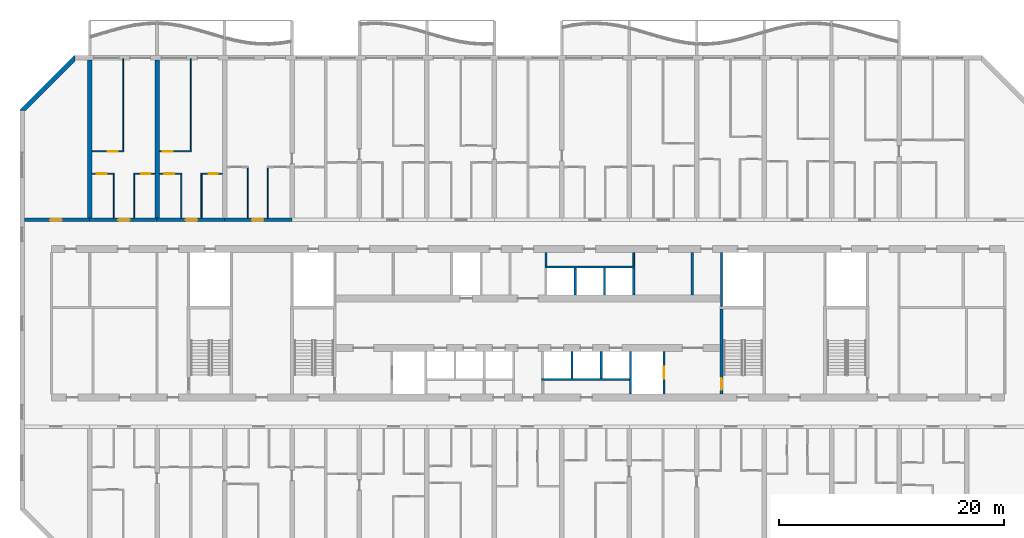
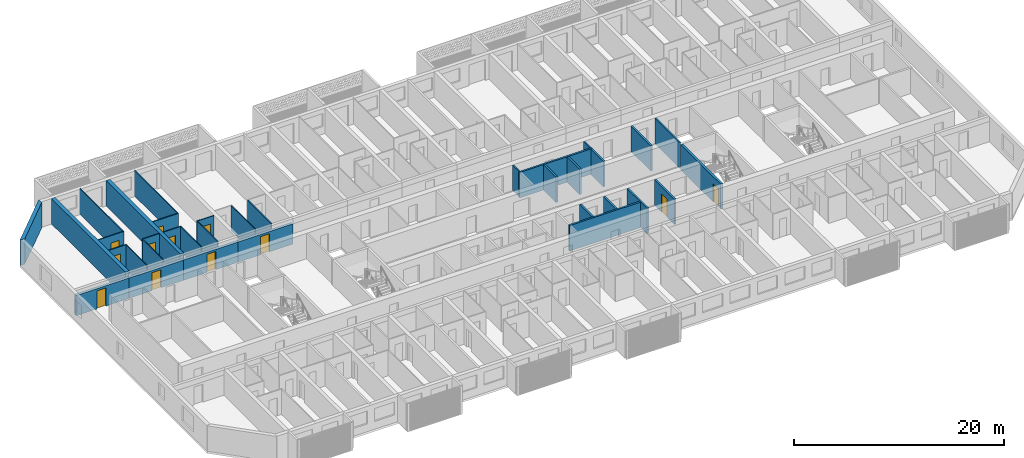
# One storey, part 9 of 39: 35 walls, 12 doors, 12 openings.
"""IFC4 building model written with IfcOpenShell, lengths in metres."""

from ifc_helpers import new_model, si_unit, direction, frame, frame_2d, origin, place, context, subcontext, project, spatial, polyline, rectangle, outline, extrude, material, layer, layer_set, type_object, element, fill, save


model = new_model("IFC4")

# Units and contexts
model_context = context("Model", 3, precision=1e-05, world=origin(), true_north=direction((0.0, 1.0)))
body_context = subcontext(model_context, "Body", "Model", "MODEL_VIEW")
ifc_project = project(units=[si_unit("LENGTHUNIT", "METRE"), si_unit("AREAUNIT", "SQUARE_METRE"), si_unit("VOLUMEUNIT", "CUBIC_METRE"), si_unit("PLANEANGLEUNIT", "RADIAN"), si_unit("MASSUNIT", "GRAM", prefix="KILO")], contexts=[model_context])

# Site, building, storey
site_placement = place(None, origin())
site = spatial("IfcSite", under=ifc_project, at=site_placement, CompositionType="ELEMENT")
building_placement = place(site_placement, origin())
building = spatial("IfcBuilding", under=site, at=building_placement, Name="Poui Terraces", CompositionType="ELEMENT")
storey_placement = place(building_placement, frame((0.0, 0.0, 63.0)))
storey = spatial("IfcBuildingStorey", under=building, at=storey_placement, Name="L17", CompositionType="ELEMENT", Elevation=63.0)

# Wall
ifc_material_1 = material(Name="Fire-rated plasterboard wall")
ifc_layer_1 = layer(ifc_material_1, 0.14990234375)
ifc_layer_set_1 = layer_set([ifc_layer_1], Name="Fire-rated plasterboard wall")
wall_type_1 = type_object("IfcWallType", Name="CORRIDOR WALL 150", PredefinedType="PARTITIONING", material=ifc_layer_set_1)
wall_1_placement = place(storey_placement, frame((52.60009765625, 26.300048828125, 0.0), z_axis=(0.0, 0.0, 1.0), x_axis=(0.0, 1.0, 0.0)))
element("IfcWall", 1, at=wall_1_placement, inside=storey, type_object=wall_type_1, Name="CORRIDOR WALL 150", PredefinedType="PARTITIONING", context=body_context, shape_type="SweptSolid", body=[
    extrude(rectangle(XDim=1.18994140625, YDim=0.14990234375, at=frame_2d((0.594970703125, 0.0))), origin(), (0.0, 0.0, 1.0), 2.949951171875),
])

# Wall, opening, door
ifc_material_2 = material(Name="Concrete 80 MPa", Category="concrete")
ifc_layer_2 = layer(ifc_material_2, 0.300048828125)
ifc_layer_set_2 = layer_set([ifc_layer_2], Name="Concrete 80 MPa")
wall_type_2 = type_object("IfcWallType", Name="CORRIDOR WALL 300 80MPa", PredefinedType="SHEAR", material=ifc_layer_set_2)
wall_2_placement = place(storey_placement, frame((6.199951171875, 30.39990234375, 0.0), z_axis=(0.0, 0.0, 1.0), x_axis=(1.0, 0.0, 0.0)))
wall_2 = element("IfcWall", 2, at=wall_2_placement, inside=storey, type_object=wall_type_2, Name="CORRIDOR WALL LINE E BAY 1", PredefinedType="SHEAR", context=body_context, shape_type="SweptSolid", body=[
    extrude(rectangle(XDim=5.800048828125, YDim=0.300048828125, at=frame_2d((2.89990234375, 0.0))), origin(), (0.0, 0.0, 1.0), 2.35009765625),
])
opening_1_placement = place(wall_2_placement, frame((2.300048828125, 0.0, 0.0)))
opening_1 = element("IfcOpeningElement", 3, at=opening_1_placement, cuts=wall_2, Name="Opening D100", PredefinedType="OPENING", context=body_context, shape_type="SweptSolid", body=[
    extrude(rectangle(XDim=1.0, YDim=2.10009765625, at=frame_2d((0.5, 1.050048828125))), frame((0.0, 0.16015625, 0.0), z_axis=(0.0, -1.0, 0.0), x_axis=(1.0, 0.0, 0.0)), (0.0, 0.0, 1.0), 0.320068359375),
])
ifc_material_3 = material(Name="Solid core timber door", Category="wood")
door_type_1 = type_object("IfcDoorType", Name="ACCESSIBLE INTERNAL DOOR 1000 X 2100", OperationType="NOTDEFINED", PredefinedType="DOOR", material=ifc_material_3)
door_1_placement = place(opening_1_placement, origin())
door_1 = element("IfcDoor", 4, at=door_1_placement, inside=storey, type_object=door_type_1, Name="ACCESSIBLE INTERNAL DOOR 032", OperationType="SINGLE_SWING_LEFT", OverallHeight=2.10009765625, OverallWidth=1.0, PredefinedType="DOOR", context=body_context, shape_type="SweptSolid", body=[
    extrude(rectangle(XDim=1.0, YDim=2.10009765625, at=frame_2d((0.5, 1.050048828125))), frame((0.0, 0.02490234375, 0.0), z_axis=(0.0, -1.0, 0.0), x_axis=(1.0, 0.0, 0.0)), (0.0, 0.0, 1.0), 0.050048828125),
])
fill(opening_1, door_1)

wall_3_placement = place(storey_placement, frame((12.0, 30.39990234375, 0.0), z_axis=(0.0, 0.0, 1.0), x_axis=(1.0, 0.0, 0.0)))
wall_3 = element("IfcWall", 5, at=wall_3_placement, inside=storey, type_object=wall_type_2, Name="CORRIDOR WALL LINE E BAY 2", PredefinedType="SHEAR", context=body_context, shape_type="SweptSolid", body=[
    extrude(rectangle(XDim=6.0, YDim=0.300048828125, at=frame_2d((3.0, 0.0))), origin(), (0.0, 0.0, 1.0), 2.35009765625),
])
opening_2_placement = place(wall_3_placement, frame((2.550048828125, 0.0, 0.0)))
opening_2 = element("IfcOpeningElement", 6, at=opening_2_placement, cuts=wall_3, Name="Opening FD30S", PredefinedType="OPENING", context=body_context, shape_type="SweptSolid", body=[
    extrude(rectangle(XDim=1.0, YDim=2.10009765625, at=frame_2d((0.5, 1.050048828125))), frame((0.0, 0.16015625, 0.0), z_axis=(0.0, -1.0, 0.0), x_axis=(1.0, 0.0, 0.0)), (0.0, 0.0, 1.0), 0.320068359375),
])
ifc_material_4 = material(Name="Steel fire door", Category="steel")
door_type_2 = type_object("IfcDoorType", Name="FLAT ENTRANCE DOOR 1000 X 2100", OperationType="NOTDEFINED", PredefinedType="DOOR", material=ifc_material_4)
door_2_placement = place(opening_2_placement, origin())
door_2 = element("IfcDoor", 7, at=door_2_placement, inside=storey, type_object=door_type_2, Name="FLAT ENTRANCE DOOR 035", OperationType="SINGLE_SWING_RIGHT", OverallHeight=2.10009765625, OverallWidth=1.0, PredefinedType="DOOR", context=body_context, shape_type="SweptSolid", body=[
    extrude(rectangle(XDim=1.0, YDim=2.10009765625, at=frame_2d((0.5, 1.050048828125))), frame((0.0, 0.02490234375, 0.0), z_axis=(0.0, -1.0, 0.0), x_axis=(1.0, 0.0, 0.0)), (0.0, 0.0, 1.0), 0.050048828125),
])
fill(opening_2, door_2)

wall_4_placement = place(storey_placement, frame((18.0, 30.39990234375, 0.0), z_axis=(0.0, 0.0, 1.0), x_axis=(1.0, 0.0, 0.0)))
wall_4 = element("IfcWall", 8, at=wall_4_placement, inside=storey, type_object=wall_type_2, Name="CORRIDOR WALL LINE E BAY 3", PredefinedType="SHEAR", context=body_context, shape_type="SweptSolid", body=[
    extrude(rectangle(XDim=6.0, YDim=0.300048828125, at=frame_2d((3.0, 0.0))), origin(), (0.0, 0.0, 1.0), 2.35009765625),
])
opening_3_placement = place(wall_4_placement, frame((2.550048828125, 0.0, 0.0)))
opening_3 = element("IfcOpeningElement", 9, at=opening_3_placement, cuts=wall_4, Name="Opening FD30S", PredefinedType="OPENING", context=body_context, shape_type="SweptSolid", body=[
    extrude(rectangle(XDim=1.0, YDim=2.10009765625, at=frame_2d((0.5, 1.050048828125))), frame((0.0, 0.16015625, 0.0), z_axis=(0.0, -1.0, 0.0), x_axis=(1.0, 0.0, 0.0)), (0.0, 0.0, 1.0), 0.320068359375),
])
door_3_placement = place(opening_3_placement, origin())
door_3 = element("IfcDoor", 10, at=door_3_placement, inside=storey, type_object=door_type_2, Name="FLAT ENTRANCE DOOR 039", OperationType="SINGLE_SWING_RIGHT", OverallHeight=2.10009765625, OverallWidth=1.0, PredefinedType="DOOR", context=body_context, shape_type="SweptSolid", body=[
    extrude(rectangle(XDim=1.0, YDim=2.10009765625, at=frame_2d((0.5, 1.050048828125))), frame((0.0, 0.02490234375, 0.0), z_axis=(0.0, -1.0, 0.0), x_axis=(1.0, 0.0, 0.0)), (0.0, 0.0, 1.0), 0.050048828125),
])
fill(opening_3, door_3)

wall_5_placement = place(storey_placement, frame((24.0, 30.39990234375, 0.0), z_axis=(0.0, 0.0, 1.0), x_axis=(1.0, 0.0, 0.0)))
wall_5 = element("IfcWall", 11, at=wall_5_placement, inside=storey, type_object=wall_type_2, Name="CORRIDOR WALL LINE E BAY 4", PredefinedType="SHEAR", context=body_context, shape_type="SweptSolid", body=[
    extrude(rectangle(XDim=6.0, YDim=0.300048828125, at=frame_2d((3.0, 0.0))), origin(), (0.0, 0.0, 1.0), 2.35009765625),
])
opening_4_placement = place(wall_5_placement, frame((2.449951171875, 0.0, 0.0)))
opening_4 = element("IfcOpeningElement", 12, at=opening_4_placement, cuts=wall_5, Name="Opening FD30S", PredefinedType="OPENING", context=body_context, shape_type="SweptSolid", body=[
    extrude(rectangle(XDim=1.0, YDim=2.10009765625, at=frame_2d((0.5, 1.050048828125))), frame((0.0, 0.16015625, 0.0), z_axis=(0.0, -1.0, 0.0), x_axis=(1.0, 0.0, 0.0)), (0.0, 0.0, 1.0), 0.320068359375),
])
door_4_placement = place(opening_4_placement, origin())
door_4 = element("IfcDoor", 13, at=door_4_placement, inside=storey, type_object=door_type_2, Name="FLAT ENTRANCE DOOR 043", OperationType="SINGLE_SWING_LEFT", OverallHeight=2.10009765625, OverallWidth=1.0, PredefinedType="DOOR", context=body_context, shape_type="SweptSolid", body=[
    extrude(rectangle(XDim=1.0, YDim=2.10009765625, at=frame_2d((0.5, 1.050048828125))), frame((0.0, 0.02490234375, 0.0), z_axis=(0.0, -1.0, 0.0), x_axis=(1.0, 0.0, 0.0)), (0.0, 0.0, 1.0), 0.050048828125),
])
fill(opening_4, door_4)

# Walls
ifc_layer_3 = layer(ifc_material_2, 0.39990234375)
ifc_layer_set_3 = layer_set([ifc_layer_3], Name="Concrete 80 MPa")
wall_type_3 = type_object("IfcWallType", Name="CROSS WALL 400 80MPa", PredefinedType="SHEAR", material=ifc_layer_set_3)
for number, where, z_axis, x_axis, name in (
    (14, (12.0, 30.550048828125, 0.0), (0.0, 0.0, 1.0), (0.0, 1.0, 0.0), "CROSS WALL LINE 3 NORTH"),
    (15, (18.0, 30.550048828125, 0.0), (0.0, 0.0, 1.0), (0.0, 1.0, 0.0), "CROSS WALL LINE 4 NORTH"),
):
    element("IfcWall", number, at=place(storey_placement, frame(where, z_axis=z_axis, x_axis=x_axis)), inside=storey, type_object=wall_type_3, Name=name, PredefinedType="SHEAR", context=body_context, shape_type="SweptSolid", body=[
        extrude(rectangle(XDim=14.050048828125, YDim=0.39990234375, at=frame_2d((7.02490234375, 0.0))), origin(), (0.0, 0.0, 1.0), 2.949951171875),
    ])

# Wall, opening, door
ifc_material_5 = material(Name="Plasterboard partition")
ifc_layer_4 = layer(ifc_material_5, 0.10009765625)
ifc_layer_set_4 = layer_set([ifc_layer_4], Name="Plasterboard partition")
wall_type_4 = type_object("IfcWallType", Name="FLAT PARTITION 100", PredefinedType="PARTITIONING", material=ifc_layer_set_4)
wall_6_placement = place(storey_placement, frame((12.2099609375, 34.5, 0.0), z_axis=(0.0, 0.0, 1.0), x_axis=(1.0, 0.0, 0.0)))
wall_6 = element("IfcWall", 16, at=wall_6_placement, inside=storey, type_object=wall_type_4, Name="FLAT PARTITION 100", PredefinedType="PARTITIONING", context=body_context, shape_type="SweptSolid", body=[
    extrude(rectangle(XDim=1.989990234375, YDim=0.10009765625, at=frame_2d((0.9951171875, 0.0))), origin(), (0.0, 0.0, 1.0), 2.949951171875),
])
opening_5_placement = place(wall_6_placement, frame((0.4150390625, 0.0, 0.0)))
opening_5 = element("IfcOpeningElement", 17, at=opening_5_placement, cuts=wall_6, Name="Opening D90", PredefinedType="OPENING", context=body_context, shape_type="SweptSolid", body=[
    extrude(rectangle(XDim=0.89990234375, YDim=2.10009765625, at=frame_2d((0.449951171875, 1.050048828125))), frame((0.0, 0.06005859375, 0.0), z_axis=(0.0, -1.0, 0.0), x_axis=(1.0, 0.0, 0.0)), (0.0, 0.0, 1.0), 0.1201171875),
])
door_type_3 = type_object("IfcDoorType", Name="INTERNAL DOOR 900 X 2100", OperationType="NOTDEFINED", PredefinedType="DOOR", material=ifc_material_3)
door_5_placement = place(opening_5_placement, frame((0.89990234375, 0.0, 0.0), z_axis=(0.0, 0.0, 1.0), x_axis=(-1.0, 0.0, 0.0)))
door_5 = element("IfcDoor", 18, at=door_5_placement, inside=storey, type_object=door_type_3, Name="INTERNAL DOOR 033", OperationType="SINGLE_SWING_LEFT", OverallHeight=2.10009765625, OverallWidth=0.89990234375, PredefinedType="DOOR", context=body_context, shape_type="SweptSolid", body=[
    extrude(rectangle(XDim=0.89990234375, YDim=2.10009765625, at=frame_2d((0.449951171875, 1.050048828125))), frame((0.0, 0.02490234375, 0.0), z_axis=(0.0, -1.0, 0.0), x_axis=(1.0, 0.0, 0.0)), (0.0, 0.0, 1.0), 0.050048828125),
])
fill(opening_5, door_5)

wall_7_placement = place(storey_placement, frame((15.89990234375, 34.5, 0.0), z_axis=(0.0, 0.0, 1.0), x_axis=(1.0, 0.0, 0.0)))
wall_7 = element("IfcWall", 19, at=wall_7_placement, inside=storey, type_object=wall_type_4, Name="FLAT PARTITION 100", PredefinedType="PARTITIONING", context=body_context, shape_type="SweptSolid", body=[
    extrude(rectangle(XDim=1.89013671875, YDim=0.10009765625, at=frame_2d((0.945068359375, 0.0))), origin(), (0.0, 0.0, 1.0), 2.949951171875),
])
opening_6_placement = place(wall_7_placement, frame((0.675048828125, 0.0, 0.0)))
opening_6 = element("IfcOpeningElement", 20, at=opening_6_placement, cuts=wall_7, Name="Opening D80", PredefinedType="OPENING", context=body_context, shape_type="SweptSolid", body=[
    extrude(rectangle(XDim=0.800048828125, YDim=2.10009765625, at=frame_2d((0.39990234375, 1.050048828125))), frame((0.0, 0.06005859375, 0.0), z_axis=(0.0, -1.0, 0.0), x_axis=(1.0, 0.0, 0.0)), (0.0, 0.0, 1.0), 0.1201171875),
])
door_type_4 = type_object("IfcDoorType", Name="BATHROOM, LAUNDRY AND STORE DOOR 800 X 2100", OperationType="NOTDEFINED", PredefinedType="DOOR", material=ifc_material_3)
door_6_placement = place(opening_6_placement, frame((0.800048828125, 0.0, 0.0), z_axis=(0.0, 0.0, 1.0), x_axis=(-1.0, 0.0, 0.0)))
door_6 = element("IfcDoor", 21, at=door_6_placement, inside=storey, type_object=door_type_4, Name="BATHROOM, LAUNDRY AND STORE DOOR 036", OperationType="SINGLE_SWING_RIGHT", OverallHeight=2.10009765625, OverallWidth=0.800048828125, PredefinedType="DOOR", context=body_context, shape_type="SweptSolid", body=[
    extrude(rectangle(XDim=0.800048828125, YDim=2.10009765625, at=frame_2d((0.39990234375, 1.050048828125))), frame((0.0, 0.02490234375, 0.0), z_axis=(0.0, -1.0, 0.0), x_axis=(1.0, 0.0, 0.0)), (0.0, 0.0, 1.0), 0.050048828125),
])
fill(opening_6, door_6)

wall_8_placement = place(storey_placement, frame((18.2099609375, 34.5, 0.0), z_axis=(0.0, 0.0, 1.0), x_axis=(1.0, 0.0, 0.0)))
wall_8 = element("IfcWall", 22, at=wall_8_placement, inside=storey, type_object=wall_type_4, Name="FLAT PARTITION 100", PredefinedType="PARTITIONING", context=body_context, shape_type="SweptSolid", body=[
    extrude(rectangle(XDim=1.989990234375, YDim=0.10009765625, at=frame_2d((0.9951171875, 0.0))), origin(), (0.0, 0.0, 1.0), 2.949951171875),
])
opening_7_placement = place(wall_8_placement, frame((0.4150390625, 0.0, 0.0)))
opening_7 = element("IfcOpeningElement", 23, at=opening_7_placement, cuts=wall_8, Name="Opening D90", PredefinedType="OPENING", context=body_context, shape_type="SweptSolid", body=[
    extrude(rectangle(XDim=0.89990234375, YDim=2.10009765625, at=frame_2d((0.449951171875, 1.050048828125))), frame((0.0, 0.06005859375, 0.0), z_axis=(0.0, -1.0, 0.0), x_axis=(1.0, 0.0, 0.0)), (0.0, 0.0, 1.0), 0.1201171875),
])
door_7_placement = place(opening_7_placement, frame((0.89990234375, 0.0, 0.0), z_axis=(0.0, 0.0, 1.0), x_axis=(-1.0, 0.0, 0.0)))
door_7 = element("IfcDoor", 24, at=door_7_placement, inside=storey, type_object=door_type_3, Name="INTERNAL DOOR 038", OperationType="SINGLE_SWING_RIGHT", OverallHeight=2.10009765625, OverallWidth=0.89990234375, PredefinedType="DOOR", context=body_context, shape_type="SweptSolid", body=[
    extrude(rectangle(XDim=0.89990234375, YDim=2.10009765625, at=frame_2d((0.449951171875, 1.050048828125))), frame((0.0, 0.02490234375, 0.0), z_axis=(0.0, -1.0, 0.0), x_axis=(1.0, 0.0, 0.0)), (0.0, 0.0, 1.0), 0.050048828125),
])
fill(opening_7, door_7)

wall_9_placement = place(storey_placement, frame((21.89990234375, 34.5, 0.0), z_axis=(0.0, 0.0, 1.0), x_axis=(1.0, 0.0, 0.0)))
wall_9 = element("IfcWall", 25, at=wall_9_placement, inside=storey, type_object=wall_type_4, Name="FLAT PARTITION 100", PredefinedType="PARTITIONING", context=body_context, shape_type="SweptSolid", body=[
    extrude(rectangle(XDim=1.89013671875, YDim=0.10009765625, at=frame_2d((0.945068359375, 0.0))), origin(), (0.0, 0.0, 1.0), 2.949951171875),
])
opening_8_placement = place(wall_9_placement, frame((0.675048828125, 0.0, 0.0)))
opening_8 = element("IfcOpeningElement", 26, at=opening_8_placement, cuts=wall_9, Name="Opening D80", PredefinedType="OPENING", context=body_context, shape_type="SweptSolid", body=[
    extrude(rectangle(XDim=0.800048828125, YDim=2.10009765625, at=frame_2d((0.39990234375, 1.050048828125))), frame((0.0, 0.06005859375, 0.0), z_axis=(0.0, -1.0, 0.0), x_axis=(1.0, 0.0, 0.0)), (0.0, 0.0, 1.0), 0.1201171875),
])
door_8_placement = place(opening_8_placement, frame((0.800048828125, 0.0, 0.0), z_axis=(0.0, 0.0, 1.0), x_axis=(-1.0, 0.0, 0.0)))
door_8 = element("IfcDoor", 27, at=door_8_placement, inside=storey, type_object=door_type_4, Name="BATHROOM, LAUNDRY AND STORE DOOR 040", OperationType="SINGLE_SWING_LEFT", OverallHeight=2.10009765625, OverallWidth=0.800048828125, PredefinedType="DOOR", context=body_context, shape_type="SweptSolid", body=[
    extrude(rectangle(XDim=0.800048828125, YDim=2.10009765625, at=frame_2d((0.39990234375, 1.050048828125))), frame((0.0, 0.02490234375, 0.0), z_axis=(0.0, -1.0, 0.0), x_axis=(1.0, 0.0, 0.0)), (0.0, 0.0, 1.0), 0.050048828125),
])
fill(opening_8, door_8)

wall_10_placement = place(storey_placement, frame((12.2099609375, 36.5, 0.0), z_axis=(0.0, 0.0, 1.0), x_axis=(1.0, 0.0, 0.0)))
wall_10 = element("IfcWall", 28, at=wall_10_placement, inside=storey, type_object=wall_type_4, Name="FLAT PARTITION 100", PredefinedType="PARTITIONING", context=body_context, shape_type="SweptSolid", body=[
    extrude(rectangle(XDim=2.840087890625, YDim=0.10009765625, at=frame_2d((1.419921875, 0.0))), origin(), (0.0, 0.0, 1.0), 2.949951171875),
])
opening_9_placement = place(wall_10_placement, frame((1.389892578125, 0.0, 0.0)))
opening_9 = element("IfcOpeningElement", 29, at=opening_9_placement, cuts=wall_10, Name="Opening D90", PredefinedType="OPENING", context=body_context, shape_type="SweptSolid", body=[
    extrude(rectangle(XDim=0.89990234375, YDim=2.10009765625, at=frame_2d((0.449951171875, 1.050048828125))), frame((0.0, 0.06005859375, 0.0), z_axis=(0.0, -1.0, 0.0), x_axis=(1.0, 0.0, 0.0)), (0.0, 0.0, 1.0), 0.1201171875),
])
door_9_placement = place(opening_9_placement, frame((0.89990234375, 0.0, 0.0), z_axis=(0.0, 0.0, 1.0), x_axis=(-1.0, 0.0, 0.0)))
door_9 = element("IfcDoor", 30, at=door_9_placement, inside=storey, type_object=door_type_3, Name="INTERNAL DOOR 034", OperationType="SINGLE_SWING_RIGHT", OverallHeight=2.10009765625, OverallWidth=0.89990234375, PredefinedType="DOOR", context=body_context, shape_type="SweptSolid", body=[
    extrude(rectangle(XDim=0.89990234375, YDim=2.10009765625, at=frame_2d((0.449951171875, 1.050048828125))), frame((0.0, 0.02490234375, 0.0), z_axis=(0.0, -1.0, 0.0), x_axis=(1.0, 0.0, 0.0)), (0.0, 0.0, 1.0), 0.050048828125),
])
fill(opening_9, door_9)

wall_11_placement = place(storey_placement, frame((18.2099609375, 36.5, 0.0), z_axis=(0.0, 0.0, 1.0), x_axis=(1.0, 0.0, 0.0)))
wall_11 = element("IfcWall", 31, at=wall_11_placement, inside=storey, type_object=wall_type_4, Name="FLAT PARTITION 100", PredefinedType="PARTITIONING", context=body_context, shape_type="SweptSolid", body=[
    extrude(rectangle(XDim=2.840087890625, YDim=0.10009765625, at=frame_2d((1.419921875, 0.0))), origin(), (0.0, 0.0, 1.0), 2.949951171875),
])
opening_10_placement = place(wall_11_placement, frame((0.2900390625, 0.0, 0.0)))
opening_10 = element("IfcOpeningElement", 32, at=opening_10_placement, cuts=wall_11, Name="Opening D90", PredefinedType="OPENING", context=body_context, shape_type="SweptSolid", body=[
    extrude(rectangle(XDim=0.89990234375, YDim=2.10009765625, at=frame_2d((0.449951171875, 1.050048828125))), frame((0.0, 0.06005859375, 0.0), z_axis=(0.0, -1.0, 0.0), x_axis=(1.0, 0.0, 0.0)), (0.0, 0.0, 1.0), 0.1201171875),
])
door_10_placement = place(opening_10_placement, frame((0.89990234375, 0.0, 0.0), z_axis=(0.0, 0.0, 1.0), x_axis=(-1.0, 0.0, 0.0)))
door_10 = element("IfcDoor", 33, at=door_10_placement, inside=storey, type_object=door_type_3, Name="INTERNAL DOOR 037", OperationType="SINGLE_SWING_LEFT", OverallHeight=2.10009765625, OverallWidth=0.89990234375, PredefinedType="DOOR", context=body_context, shape_type="SweptSolid", body=[
    extrude(rectangle(XDim=0.89990234375, YDim=2.10009765625, at=frame_2d((0.449951171875, 1.050048828125))), frame((0.0, 0.02490234375, 0.0), z_axis=(0.0, -1.0, 0.0), x_axis=(1.0, 0.0, 0.0)), (0.0, 0.0, 1.0), 0.050048828125),
])
fill(opening_10, door_10)

# Walls
wall_12_placement = place(storey_placement, frame((14.14990234375, 30.56005859375, 0.0), z_axis=(0.0, 0.0, 1.0), x_axis=(0.0, 1.0, 0.0)))
element("IfcWall", 34, at=wall_12_placement, inside=storey, type_object=wall_type_4, Name="FLAT PARTITION 100", PredefinedType="PARTITIONING", context=body_context, shape_type="SweptSolid", body=[
    extrude(rectangle(XDim=3.889892578125, YDim=0.10009765625, at=frame_2d((1.94482421875, 0.0))), origin(), (0.0, 0.0, 1.0), 2.949951171875),
])
wall_13_placement = place(storey_placement, frame((15.0, 36.550048828125, 0.0), z_axis=(0.0, 0.0, 1.0), x_axis=(0.0, 1.0, 0.0)))
element("IfcWall", 35, at=wall_13_placement, inside=storey, type_object=wall_type_4, Name="FLAT PARTITION 100", PredefinedType="PARTITIONING", context=body_context, shape_type="SweptSolid", body=[
    extrude(rectangle(XDim=8.18994140625, YDim=0.10009765625, at=frame_2d((4.094970703125, 0.0))), origin(), (0.0, 0.0, 1.0), 2.949951171875),
])
for number, where, z_axis, x_axis, name in (
    (36, (15.949951171875, 30.56005859375, 0.0), (0.0, 0.0, 1.0), (0.0, 1.0, 0.0), "FLAT PARTITION 100"),
    (37, (20.14990234375, 30.56005859375, 0.0), (0.0, 0.0, 1.0), (0.0, 1.0, 0.0), "FLAT PARTITION 100"),
):
    element("IfcWall", number, at=place(storey_placement, frame(where, z_axis=z_axis, x_axis=x_axis)), inside=storey, type_object=wall_type_4, Name=name, PredefinedType="PARTITIONING", context=body_context, shape_type="SweptSolid", body=[
        extrude(rectangle(XDim=3.889892578125, YDim=0.10009765625, at=frame_2d((1.94482421875, 0.0))), origin(), (0.0, 0.0, 1.0), 2.949951171875),
    ])
wall_14_placement = place(storey_placement, frame((21.0, 36.550048828125, 0.0), z_axis=(0.0, 0.0, 1.0), x_axis=(0.0, 1.0, 0.0)))
element("IfcWall", 38, at=wall_14_placement, inside=storey, type_object=wall_type_4, Name="FLAT PARTITION 100", PredefinedType="PARTITIONING", context=body_context, shape_type="SweptSolid", body=[
    extrude(rectangle(XDim=8.18994140625, YDim=0.10009765625, at=frame_2d((4.094970703125, 0.0))), origin(), (0.0, 0.0, 1.0), 2.949951171875),
])
wall_15_placement = place(storey_placement, frame((21.949951171875, 30.56005859375, 0.0), z_axis=(0.0, 0.0, 1.0), x_axis=(0.0, 1.0, 0.0)))
element("IfcWall", 39, at=wall_15_placement, inside=storey, type_object=wall_type_4, Name="FLAT PARTITION 100", PredefinedType="PARTITIONING", context=body_context, shape_type="SweptSolid", body=[
    extrude(rectangle(XDim=3.889892578125, YDim=0.10009765625, at=frame_2d((1.94482421875, 0.0))), origin(), (0.0, 0.0, 1.0), 2.949951171875),
])
for number, where, z_axis, x_axis, name in (
    (40, (26.050048828125, 30.56005859375, 0.0), (0.0, 0.0, 1.0), (0.0, 1.0, 0.0), "FLAT PARTITION 100"),
    (41, (27.85009765625, 30.56005859375, 0.0), (0.0, 0.0, 1.0), (0.0, 1.0, 0.0), "FLAT PARTITION 100"),
):
    element("IfcWall", number, at=place(storey_placement, frame(where, z_axis=z_axis, x_axis=x_axis)), inside=storey, type_object=wall_type_4, Name=name, PredefinedType="PARTITIONING", context=body_context, shape_type="SweptSolid", body=[
        extrude(rectangle(XDim=4.489990234375, YDim=0.10009765625, at=frame_2d((2.2451171875, 0.0))), origin(), (0.0, 0.0, 1.0), 2.949951171875),
    ])
ifc_layer_5 = layer(ifc_material_5, 0.14990234375)
ifc_layer_set_5 = layer_set([ifc_layer_5], Name="Plasterboard partition")
wall_type_5 = type_object("IfcWallType", Name="PARTITION WALL 150", PredefinedType="PARTITIONING", material=ifc_layer_set_5)
wall_16_placement = place(storey_placement, frame((60.39990234375, 26.300048828125, 0.0), z_axis=(0.0, 0.0, 1.0), x_axis=(0.0, 1.0, 0.0)))
element("IfcWall", 42, at=wall_16_placement, inside=storey, type_object=wall_type_5, Name="PARTITION WALL 150", PredefinedType="PARTITIONING", context=body_context, shape_type="SweptSolid", body=[
    extrude(rectangle(XDim=1.18994140625, YDim=0.14990234375, at=frame_2d((0.594970703125, 0.0))), origin(), (0.0, 0.0, 1.0), 2.949951171875),
])
ifc_material_6 = material(Name="Fire-rated masonry wall", Category="masonry")
ifc_layer_6 = layer(ifc_material_6, 0.199951171875)
ifc_layer_set_6 = layer_set([ifc_layer_6], Name="Fire-rated masonry wall")
wall_type_6 = type_object("IfcWallType", Name="PLANT ROOM WALL 200", PredefinedType="PARTITIONING", material=ifc_layer_set_6)
wall_17_placement = place(storey_placement, frame((65.60009765625, 23.7099609375, 0.0), z_axis=(0.0, 0.0, 1.0), x_axis=(0.0, 1.0, 0.0)))
element("IfcWall", 43, at=wall_17_placement, inside=storey, type_object=wall_type_6, Name="PLANT ROOM WALL 200", PredefinedType="PARTITIONING", context=body_context, shape_type="SweptSolid", body=[
    extrude(rectangle(XDim=3.780029296875, YDim=0.199951171875, at=frame_2d((1.89013671875, 0.0))), origin(), (0.0, 0.0, 1.0), 2.949951171875),
])
ifc_material_7 = material(Name="Fire-rated plasterboard riser wall")
ifc_layer_7 = layer(ifc_material_7, 0.14990234375)
ifc_layer_set_7 = layer_set([ifc_layer_7], Name="Fire-rated plasterboard riser wall")
wall_type_7 = type_object("IfcWallType", Name="RISER WALL 150", PredefinedType="PARTITIONING", material=ifc_layer_set_7)
wall_18_placement = place(storey_placement, frame((68.199951171875, 22.735107421875, 0.0), z_axis=(0.0, 0.0, 1.0), x_axis=(0.0, 1.0, 0.0)))
element("IfcWall", 44, at=wall_18_placement, inside=storey, type_object=wall_type_7, Name="RISER WALL 150", PredefinedType="PARTITIONING", context=body_context, shape_type="SweptSolid", body=[
    extrude(rectangle(XDim=4.7548828125, YDim=0.14990234375, at=frame_2d((2.37744140625, 0.0))), origin(), (0.0, 0.0, 1.0), 2.949951171875),
])
ifc_material_8 = material(Name="Fire-rated masonry shaft wall", Category="masonry")
ifc_layer_8 = layer(ifc_material_8, 0.199951171875)
ifc_layer_set_8 = layer_set([ifc_layer_8], Name="Fire-rated masonry shaft wall")
wall_type_8 = type_object("IfcWallType", Name="SHAFT WALL 200", PredefinedType="PARTITIONING", material=ifc_layer_set_8)
wall_19_placement = place(storey_placement, frame((52.199951171875, 16.199951171875, 0.0), z_axis=(0.0, 0.0, 1.0), x_axis=(1.0, 0.0, 0.0)))
element("IfcWall", 45, at=wall_19_placement, inside=storey, type_object=wall_type_8, Name="SHAFT WALL 200", PredefinedType="PARTITIONING", context=body_context, shape_type="SweptSolid", body=[
    extrude(rectangle(XDim=7.800048828125, YDim=0.199951171875, at=frame_2d((3.89990234375, 0.0))), origin(), (0.0, 0.0, 1.0), 2.949951171875),
])
wall_20_placement = place(storey_placement, frame((52.5, 26.199951171875, 0.0), z_axis=(0.0, 0.0, 1.0), x_axis=(1.0, 0.0, 0.0)))
element("IfcWall", 46, at=wall_20_placement, inside=storey, type_object=wall_type_8, Name="SHAFT WALL 200", PredefinedType="PARTITIONING", context=body_context, shape_type="SweptSolid", body=[
    extrude(rectangle(XDim=8.0, YDim=0.199951171875, at=frame_2d((4.0, 0.0))), origin(), (0.0, 0.0, 1.0), 2.949951171875),
])
wall_21_placement = place(storey_placement, frame((54.89990234375, 16.300048828125, 0.0), z_axis=(0.0, 0.0, 1.0), x_axis=(0.0, 1.0, 0.0)))
element("IfcWall", 47, at=wall_21_placement, inside=storey, type_object=wall_type_8, Name="SHAFT WALL 200", PredefinedType="PARTITIONING", context=body_context, shape_type="SweptSolid", body=[
    extrude(rectangle(XDim=2.389892578125, YDim=0.199951171875, at=frame_2d((1.19482421875, 0.0))), origin(), (0.0, 0.0, 1.0), 2.949951171875),
])
wall_22_placement = place(storey_placement, frame((55.199951171875, 23.7099609375, 0.0), z_axis=(0.0, 0.0, 1.0), x_axis=(0.0, 1.0, 0.0)))
element("IfcWall", 48, at=wall_22_placement, inside=storey, type_object=wall_type_8, Name="SHAFT WALL 200", PredefinedType="PARTITIONING", context=body_context, shape_type="SweptSolid", body=[
    extrude(rectangle(XDim=2.39013671875, YDim=0.199951171875, at=frame_2d((1.195068359375, 0.0))), origin(), (0.0, 0.0, 1.0), 2.949951171875),
])
wall_23_placement = place(storey_placement, frame((57.5, 16.300048828125, 0.0), z_axis=(0.0, 0.0, 1.0), x_axis=(0.0, 1.0, 0.0)))
element("IfcWall", 49, at=wall_23_placement, inside=storey, type_object=wall_type_8, Name="SHAFT WALL 200", PredefinedType="PARTITIONING", context=body_context, shape_type="SweptSolid", body=[
    extrude(rectangle(XDim=2.389892578125, YDim=0.199951171875, at=frame_2d((1.19482421875, 0.0))), origin(), (0.0, 0.0, 1.0), 2.949951171875),
])
wall_24_placement = place(storey_placement, frame((57.800048828125, 23.7099609375, 0.0), z_axis=(0.0, 0.0, 1.0), x_axis=(0.0, 1.0, 0.0)))
element("IfcWall", 50, at=wall_24_placement, inside=storey, type_object=wall_type_8, Name="SHAFT WALL 200", PredefinedType="PARTITIONING", context=body_context, shape_type="SweptSolid", body=[
    extrude(rectangle(XDim=2.39013671875, YDim=0.199951171875, at=frame_2d((1.195068359375, 0.0))), origin(), (0.0, 0.0, 1.0), 2.949951171875),
])
wall_25_placement = place(storey_placement, frame((60.10009765625, 14.909912109375, 0.0), z_axis=(0.0, 0.0, 1.0), x_axis=(0.0, 1.0, 0.0)))
element("IfcWall", 51, at=wall_25_placement, inside=storey, type_object=wall_type_8, Name="SHAFT WALL 200", PredefinedType="PARTITIONING", context=body_context, shape_type="SweptSolid", body=[
    extrude(rectangle(XDim=3.780029296875, YDim=0.199951171875, at=frame_2d((1.89013671875, 0.0))), origin(), (0.0, 0.0, 1.0), 2.949951171875),
])
wall_26_placement = place(storey_placement, frame((60.39990234375, 23.7099609375, 0.0), z_axis=(0.0, 0.0, 1.0), x_axis=(0.0, 1.0, 0.0)))
element("IfcWall", 52, at=wall_26_placement, inside=storey, type_object=wall_type_8, Name="SHAFT WALL 200", PredefinedType="PARTITIONING", context=body_context, shape_type="SweptSolid", body=[
    extrude(rectangle(XDim=2.39013671875, YDim=0.199951171875, at=frame_2d((1.195068359375, 0.0))), origin(), (0.0, 0.0, 1.0), 2.949951171875),
])

# Wall, opening, door
wall_27_placement = place(storey_placement, frame((63.10009765625, 14.909912109375, 0.0), z_axis=(0.0, 0.0, 1.0), x_axis=(0.0, 1.0, 0.0)))
wall_27 = element("IfcWall", 53, at=wall_27_placement, inside=storey, type_object=wall_type_8, Name="SHAFT WALL 200", PredefinedType="PARTITIONING", context=body_context, shape_type="SweptSolid", body=[
    extrude(rectangle(XDim=3.780029296875, YDim=0.199951171875, at=frame_2d((1.89013671875, 0.0))), origin(), (0.0, 0.0, 1.0), 2.949951171875),
])
opening_11_placement = place(wall_27_placement, frame((1.340087890625, 0.0, 0.0)))
opening_11 = element("IfcOpeningElement", 54, at=opening_11_placement, cuts=wall_27, Name="Opening LD", PredefinedType="OPENING", context=body_context, shape_type="SweptSolid", body=[
    extrude(rectangle(XDim=1.10009765625, YDim=2.10009765625, at=frame_2d((0.550048828125, 1.050048828125))), frame((0.0, 0.10986328125, 0.0), z_axis=(0.0, -1.0, 0.0), x_axis=(1.0, 0.0, 0.0)), (0.0, 0.0, 1.0), 0.219970703125),
])
ifc_material_9 = material(Name="Stainless steel sliding door", Category="steel")
door_type_5 = type_object("IfcDoorType", Name="LIFT LANDING DOOR 1100 X 2100", OperationType="DOUBLE_DOOR_SLIDING", PredefinedType="DOOR", material=ifc_material_9)
door_11_placement = place(opening_11_placement, origin())
door_11 = element("IfcDoor", 55, at=door_11_placement, inside=storey, type_object=door_type_5, Name="LANDING DOOR", OperationType="DOUBLE_DOOR_SLIDING", OverallHeight=2.10009765625, OverallWidth=1.10009765625, PredefinedType="DOOR", context=body_context, shape_type="SweptSolid", body=[
    extrude(rectangle(XDim=1.10009765625, YDim=2.10009765625, at=frame_2d((0.550048828125, 1.050048828125))), frame((0.0, 0.02490234375, 0.0), z_axis=(0.0, -1.0, 0.0), x_axis=(1.0, 0.0, 0.0)), (0.0, 0.0, 1.0), 0.050048828125),
])
fill(opening_11, door_11)

ifc_layer_9 = layer(ifc_material_2, 0.25)
ifc_layer_set_9 = layer_set([ifc_layer_9], Name="Concrete 80 MPa")
wall_type_9 = type_object("IfcWallType", Name="STAIR CORE WALL 250 80 MPA", PredefinedType="SOLIDWALL", material=ifc_layer_set_9)
wall_28_placement = place(storey_placement, frame((68.199951171875, 14.89990234375, 0.0), z_axis=(0.0, 0.0, 1.0), x_axis=(0.0, 1.0, 0.0)))
wall_28 = element("IfcWall", 56, at=wall_28_placement, inside=storey, type_object=wall_type_9, Name="STAIR CORE WALL", PredefinedType="SOLIDWALL", context=body_context, shape_type="SweptSolid", body=[
    extrude(rectangle(XDim=7.5751953125, YDim=0.25, at=frame_2d((3.78759765625, 0.0))), origin(), (0.0, 0.0, 1.0), 2.949951171875),
])
opening_12_placement = place(wall_28_placement, frame((0.39990234375, 0.0, 0.0)))
opening_12 = element("IfcOpeningElement", 57, at=opening_12_placement, cuts=wall_28, Name="Opening FD60S", PredefinedType="OPENING", context=body_context, shape_type="SweptSolid", body=[
    extrude(rectangle(XDim=1.0, YDim=2.10009765625, at=frame_2d((0.5, 1.050048828125))), frame((0.0, 0.135009765625, 0.0), z_axis=(0.0, -1.0, 0.0), x_axis=(1.0, 0.0, 0.0)), (0.0, 0.0, 1.0), 0.27001953125),
])
door_type_6 = type_object("IfcDoorType", Name="STAIR DOOR 1000 X 2100", OperationType="NOTDEFINED", PredefinedType="DOOR", material=ifc_material_4)
door_12_placement = place(opening_12_placement, frame((1.0, 0.0, 0.0), z_axis=(0.0, 0.0, 1.0), x_axis=(-1.0, 0.0, 0.0)))
door_12 = element("IfcDoor", 58, at=door_12_placement, inside=storey, type_object=door_type_6, Name="STAIR DOOR 136", OperationType="SINGLE_SWING_LEFT", OverallHeight=2.10009765625, OverallWidth=1.0, PredefinedType="DOOR", context=body_context, shape_type="SweptSolid", body=[
    extrude(rectangle(XDim=1.0, YDim=2.10009765625, at=frame_2d((0.5, 1.050048828125))), frame((0.0, 0.02490234375, 0.0), z_axis=(0.0, -1.0, 0.0), x_axis=(1.0, 0.0, 0.0)), (0.0, 0.0, 1.0), 0.050048828125),
])
fill(opening_12, door_12)

# Wall
ifc_material_10 = material(Name="Precast concrete 40 MPa", Category="concrete")
ifc_layer_10 = layer(ifc_material_10, 0.39990234375)
ifc_layer_set_10 = layer_set([ifc_layer_10], Name="Precast concrete 40 MPa")
wall_type_10 = type_object("IfcWallType", Name="TERRACOTTA CLAD CHAMFER WALL 400", PredefinedType="STANDARD", material=ifc_layer_set_10)
wall_29_placement = place(storey_placement, origin())
element("IfcWall", 59, at=wall_29_placement, inside=storey, type_object=wall_type_10, Name="CHAMFER WALL CH05", PredefinedType="STANDARD", context=body_context, shape_type="SweptSolid", body=[
    extrude(outline(polyline([(10.682861328125, 45.0), (10.60009765625, 45.0), (5.800048828125, 40.199951171875), (5.800048828125, 40.1171875), (6.28271484375, 40.1171875), (10.682861328125, 44.51708984375), (10.682861328125, 45.0)])), origin(), (0.0, 0.0, 1.0), 2.949951171875),
])

save(model, "model.ifc")
